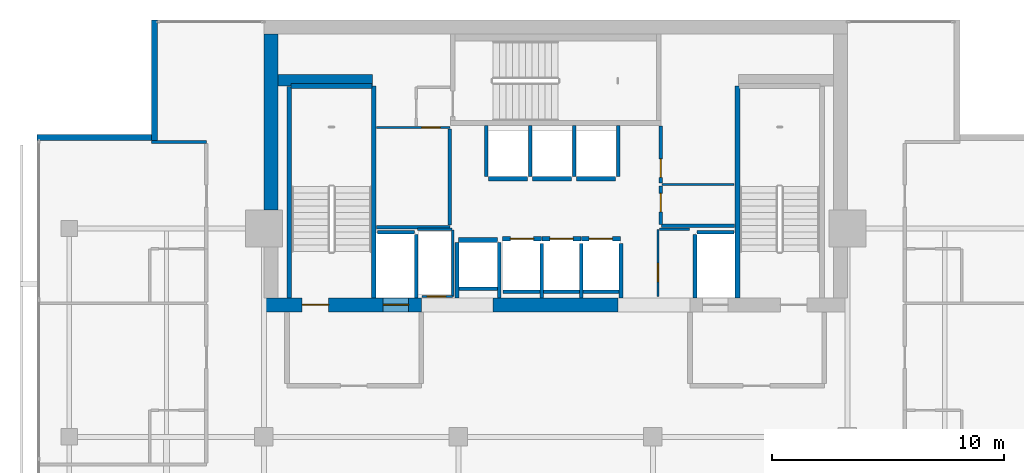
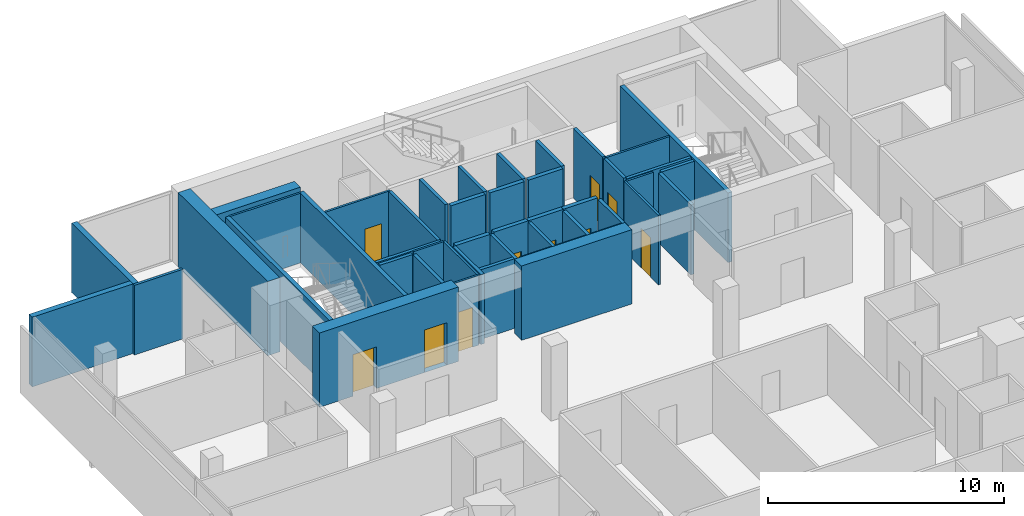
# One storey, part 22 of 25: 45 walls, 10 doors, 10 openings.
"""IFC4 building model written with IfcOpenShell, lengths in metres."""

import ifcopenshell
import ifcopenshell.guid

model = None  # the IFC model being written
_history = None  # IfcOwnerHistory: only IFC2X3 demands one
_inside = {}  # id of a spatial element -> (the spatial element, [elements in it])
_under = {}  # id of a project, library or spatial element -> (it, [spatial elements below it])
_declared = {}  # id of a project -> (the project, [libraries it declares])
_typed = {}  # id of a type object -> (the type object, [elements of that type])
_made_of = {}  # id of a material, layer set ... -> (it, [elements and type objects made of it])


def new_model(schema):
    """Start an empty IFC model of exactly this schema.

    Asked for "IFC4X3", IfcOpenShell would pick the latest addendum, in which some entities
    have other attributes; the version numbers below select the first issue.
    IFC2X3 requires an IfcOwnerHistory on every rooted entity: one is made here for all.
    """
    global model, _history
    if schema == "IFC4X3":
        model = ifcopenshell.file(schema_version=(4, 3, 0, 0))
    else:
        model = ifcopenshell.file(schema=schema)
    _inside.clear()
    _under.clear()
    _declared.clear()
    _typed.clear()
    _made_of.clear()
    _history = None
    if model.schema == "IFC2X3":
        org = make("IfcOrganization", Name="unknown")
        user = make(
            "IfcPersonAndOrganization",
            ThePerson=make("IfcPerson", FamilyName="unknown"),
            TheOrganization=org,
        )
        app = make(
            "IfcApplication",
            ApplicationDeveloper=org,
            Version="unknown",
            ApplicationFullName="unknown",
            ApplicationIdentifier="unknown",
        )
        _history = make(
            "IfcOwnerHistory",
            OwningUser=user,
            OwningApplication=app,
            ChangeAction="ADDED",
            CreationDate=0,
        )
    return model


def make(cls, **values):
    """One entity of the class cls with the attributes given. An attribute that is None is left unset."""
    return model.create_entity(
        cls, **{name: value for name, value in values.items() if value is not None}
    )


def rooted(cls, **values):
    """An entity with a GlobalId (a new one), such as an element, a storey or a relation."""
    return make(cls, GlobalId=ifcopenshell.guid.new(), OwnerHistory=_history, **values)


def si_unit(unit_type, name, prefix=None):
    """IfcSIUnit, for example si_unit("LENGTHUNIT", "METRE", prefix="MILLI")."""
    return make("IfcSIUnit", UnitType=unit_type, Prefix=prefix, Name=name)


def assignment(units):
    """IfcUnitAssignment: the units of a project."""
    return None if units is None else make("IfcUnitAssignment", Units=units)


def point(xyz):
    """IfcCartesianPoint."""
    return None if xyz is None else make("IfcCartesianPoint", Coordinates=xyz)


def direction(xyz):
    """IfcDirection."""
    return None if xyz is None else make("IfcDirection", DirectionRatios=xyz)


def frame(location, z_axis=None, x_axis=None):
    """IfcAxis2Placement3D, a coordinate frame: its origin and axes. An axis left out is left unset."""
    return make(
        "IfcAxis2Placement3D",
        Location=point(location),
        Axis=direction(z_axis),
        RefDirection=direction(x_axis),
    )


def frame_2d(location, x_axis=None):
    """IfcAxis2Placement2D, a coordinate frame in the plane: its origin and x axis."""
    return make(
        "IfcAxis2Placement2D", Location=point(location), RefDirection=direction(x_axis)
    )


def origin():
    """The frame at (0, 0, 0) with its axes left unset."""
    return frame((0.0, 0.0, 0.0))


def place(relative_to, where):
    """IfcLocalPlacement: puts the frame where relative to a parent placement (None: the world)."""
    return make(
        "IfcLocalPlacement", PlacementRelTo=relative_to, RelativePlacement=where
    )


def context(
    kind, dimensions, precision=None, world=None, true_north=None, identifier=None
):
    """IfcGeometricRepresentationContext, for example the 3D "Model" context."""
    return make(
        "IfcGeometricRepresentationContext",
        ContextIdentifier=identifier,
        ContextType=kind,
        CoordinateSpaceDimension=dimensions,
        Precision=precision,
        WorldCoordinateSystem=world,
        TrueNorth=true_north,
    )


def subcontext(parent, identifier, kind, view, scale=None):
    """IfcGeometricRepresentationSubContext, for example "Body" below "Model"."""
    return make(
        "IfcGeometricRepresentationSubContext",
        ContextIdentifier=identifier,
        ContextType=kind,
        ParentContext=parent,
        TargetScale=scale,
        TargetView=view,
    )


def project(units=None, contexts=None):
    """IfcProject with its units and contexts."""
    return rooted(
        "IfcProject",
        Name="project",
        RepresentationContexts=contexts,
        UnitsInContext=assignment(units),
    )


def spatial(cls, under=None, at=None, **own):
    """A site, building, storey or space (cls), placed at a placement, below another one or the project."""
    s = rooted(cls, ObjectPlacement=at, **own)
    if under is not None:
        _under.setdefault(under.id(), (under, []))[1].append(s)
    return s


def profile(cls, at=None, kind="AREA", **sizes):
    """A parametric profile (cls). Its sizes go by their IFC names, for example OverallWidth=200.0."""
    return make(cls, ProfileType=kind, Position=at, **sizes)


def rectangle(**sizes):
    """IfcRectangleProfileDef."""
    return profile("IfcRectangleProfileDef", **sizes)


def extrude(swept, where, along, depth):
    """IfcExtrudedAreaSolid: the profile swept, set in the frame where, extruded along a direction by depth."""
    return make(
        "IfcExtrudedAreaSolid",
        SweptArea=swept,
        Position=where,
        ExtrudedDirection=direction(along),
        Depth=depth,
    )


def shape(context_of_items, identifier, shape_type, items):
    """IfcShapeRepresentation: the items that make up one representation, for example the "Body"."""
    return make(
        "IfcShapeRepresentation",
        ContextOfItems=context_of_items,
        RepresentationIdentifier=identifier,
        RepresentationType=shape_type,
        Items=items,
    )


def material(Name=None, Category=None):
    """IfcMaterial."""
    return make("IfcMaterial", Name=Name, Category=Category)


def layer(
    of_material, thickness, ventilated=None, Name=None, Category=None, Priority=None
):
    """IfcMaterialLayer: one layer of a wall or slab, of a material (None: an air gap)."""
    return make(
        "IfcMaterialLayer",
        Material=of_material,
        LayerThickness=thickness,
        IsVentilated=ventilated,
        Name=Name,
        Category=Category,
        Priority=Priority,
    )


def layer_set(layers, Name=None):
    """IfcMaterialLayerSet."""
    return make("IfcMaterialLayerSet", MaterialLayers=layers, LayerSetName=Name)


def made_of(thing, what):
    """Note that an element or type object is made of a material, layer set ...; save() writes the relation."""
    if what is not None:
        _made_of.setdefault(what.id(), (what, []))[1].append(thing)
    return thing


def type_object(cls, material=None, **own):
    """A type object (cls), such as IfcWallType, which elements share."""
    return made_of(rooted(cls, **own), material)


def element(
    cls,
    number,
    at=None,
    inside=None,
    cuts=None,
    type_object=None,
    material=None,
    context=None,
    identifier="Body",
    shape_type=None,
    held_by="IfcProductDefinitionShape",
    body=None,
    shapes=None,
    **own,
):
    """One element of the class cls, such as IfcWall. Its Tag is "e" and its number.

    at: its placement. inside: the storey or other place that contains it. cuts: it is an
    opening in that element (IfcRelVoidsElement). A single representation is given by context,
    identifier, shape_type and body (its items); several are given by shapes. held_by: the class
    of the entity that holds the representations. save() writes the other relations.
    """
    e = rooted(cls, Tag="e%d" % number, ObjectPlacement=at, **own)
    if body is not None:
        shapes = [shape(context, identifier, shape_type, body)]
    if shapes is not None:
        e.Representation = make(held_by, Representations=shapes)
    if inside is not None:
        _inside.setdefault(inside.id(), (inside, []))[1].append(e)
    if cuts is not None:
        rooted(
            "IfcRelVoidsElement", RelatingBuildingElement=cuts, RelatedOpeningElement=e
        )
    if type_object is not None:
        _typed.setdefault(type_object.id(), (type_object, []))[1].append(e)
    return made_of(e, material)


def fill(opening, filler):
    """IfcRelFillsElement: the door or window that sits in an opening."""
    return rooted(
        "IfcRelFillsElement",
        RelatingOpeningElement=opening,
        RelatedBuildingElement=filler,
    )


def aggregate(whole, parts):
    """IfcRelAggregates: a whole, such as a stair, and the parts it consists of."""
    return rooted("IfcRelAggregates", RelatingObject=whole, RelatedObjects=parts)


def save(model, path):
    """Write the relations noted so far, then the file.

    IfcRelAggregates (storeys below a building ...), IfcRelContainedInSpatialStructure (elements
    in a storey), IfcRelDefinesByType, IfcRelAssociatesMaterial and IfcRelDeclares: one each for
    every whole, place, type object, material and project.
    """
    for whole, parts in _under.values():
        aggregate(whole, parts)
    for where, things in _inside.values():
        rooted(
            "IfcRelContainedInSpatialStructure",
            RelatedElements=things,
            RelatingStructure=where,
        )
    for kind, things in _typed.values():
        rooted("IfcRelDefinesByType", RelatedObjects=things, RelatingType=kind)
    for what, things in _made_of.values():
        rooted("IfcRelAssociatesMaterial", RelatedObjects=things, RelatingMaterial=what)
    for by, libraries in _declared.values():
        rooted("IfcRelDeclares", RelatingContext=by, RelatedDefinitions=libraries)
    model.write(path)


model = new_model("IFC4")

# Units and contexts
model_context = context("Model", 3, precision=1e-05, world=origin(), true_north=direction((0.0, 1.0)))
body_context = subcontext(model_context, "Body", "Model", "MODEL_VIEW")
ifc_project = project(units=[si_unit("LENGTHUNIT", "METRE"), si_unit("AREAUNIT", "SQUARE_METRE"), si_unit("VOLUMEUNIT", "CUBIC_METRE"), si_unit("PLANEANGLEUNIT", "RADIAN"), si_unit("MASSUNIT", "GRAM", prefix="KILO")], contexts=[model_context])

# Site, building, storey
site_placement = place(None, origin())
site = spatial("IfcSite", under=ifc_project, at=site_placement, CompositionType="ELEMENT")
building_placement = place(site_placement, origin())
building = spatial("IfcBuilding", under=site, at=building_placement, Name="Maruvema Waterfront Hotel and Observation Tower", CompositionType="ELEMENT")
storey_placement = place(building_placement, frame((0.0, 0.0, 250.949951171875)))
storey = spatial("IfcBuildingStorey", under=building, at=storey_placement, Name="L61", CompositionType="ELEMENT", Elevation=250.949951171875)

# Walls
ifc_material_1 = material(Name="Twin-stud acoustic gypsum drywall", Category="gypsum")
ifc_layer_1 = layer(ifc_material_1, 0.14990234375, Name="Acoustic Corridor and Suite Demising Wall 150 mm")
ifc_layer_set_1 = layer_set([ifc_layer_1], Name="Twin-stud acoustic gypsum drywall")
wall_type_1 = type_object("IfcWallType", Name="Acoustic Corridor and Suite Demising Wall 150 mm", PredefinedType="PARTITIONING", material=ifc_layer_set_1)
wall_1_placement = place(storey_placement, frame((30.06005859375, 45.06005859375, 0.0), z_axis=(0.0, 0.0, 1.0), x_axis=(1.0, 0.0, 0.0)))
element("IfcWall", 1, at=wall_1_placement, inside=storey, type_object=wall_type_1, Name="L61 Freed B1 South Wall 012", PredefinedType="PARTITIONING", context=body_context, shape_type="SweptSolid", body=[
    extrude(rectangle(XDim=3.179931640625, YDim=0.14990234375, at=frame_2d((1.58984375, 0.0))), origin(), (0.0, 0.0, 1.0), 3.610107421875),
])
wall_2_placement = place(storey_placement, frame((33.219970703125, 45.139892578125, 0.0), z_axis=(0.0, 0.0, 1.0), x_axis=(0.0, 1.0, 0.0)))
element("IfcWall", 2, at=wall_2_placement, inside=storey, type_object=wall_type_1, Name="L61 Freed B1 East Wall 013", PredefinedType="PARTITIONING", context=body_context, shape_type="SweptSolid", body=[
    extrude(rectangle(XDim=4.16015625, YDim=0.14990234375, at=frame_2d((2.080078125, 0.0))), origin(), (0.0, 0.0, 1.0), 3.610107421875),
])

# Wall, opening, door
wall_3_placement = place(storey_placement, frame((42.340087890625, 45.159912109375, 0.0), z_axis=(0.0, 0.0, 1.0), x_axis=(0.0, 1.0, 0.0)))
wall_3 = element("IfcWall", 3, at=wall_3_placement, inside=storey, type_object=wall_type_1, Name="L61 Freed B2 West S 017", PredefinedType="PARTITIONING", context=body_context, shape_type="SweptSolid", body=[
    extrude(rectangle(XDim=1.68017578125, YDim=0.14990234375, at=frame_2d((0.840087890625, 0.0))), origin(), (0.0, 0.0, 1.0), 3.610107421875),
])
opening_1_placement = place(wall_3_placement, frame((0.550048828125, 0.0, 0.0)))
opening_1 = element("IfcOpeningElement", 4, at=opening_1_placement, cuts=wall_3, Name="Opening DR-080", PredefinedType="OPENING", context=body_context, shape_type="SweptSolid", body=[
    extrude(rectangle(XDim=0.800048828125, YDim=2.050048828125, at=frame_2d((0.39990234375, 1.02490234375))), frame((0.0, 0.0849609375, 0.0), z_axis=(0.0, -1.0, 0.0), x_axis=(1.0, 0.0, 0.0)), (0.0, 0.0, 1.0), 0.169921875),
])
ifc_material_2 = material(Name="Powder-coated steel access leaf", Category="steel")
door_type_1 = type_object("IfcDoorType", Name="Riser and Service Cupboard Door 800x2050 mm", OperationType="NOTDEFINED", PredefinedType="DOOR", material=ifc_material_2)
door_1_placement = place(opening_1_placement, frame((0.800048828125, 0.0, 0.0), z_axis=(0.0, 0.0, 1.0), x_axis=(-1.0, 0.0, 0.0)))
door_1 = element("IfcDoor", 5, at=door_1_placement, inside=storey, type_object=door_type_1, Name="L61 Butler Service Pantry Door", OperationType="SINGLE_SWING_LEFT", OverallHeight=2.050048828125, OverallWidth=0.800048828125, PredefinedType="DOOR", context=body_context, shape_type="SweptSolid", body=[
    extrude(rectangle(XDim=0.800048828125, YDim=2.050048828125, at=frame_2d((0.39990234375, 1.02490234375))), frame((0.0, 0.02490234375, 0.0), z_axis=(0.0, -1.0, 0.0), x_axis=(1.0, 0.0, 0.0)), (0.0, 0.0, 1.0), 0.050048828125),
])
fill(opening_1, door_1)

wall_4_placement = place(storey_placement, frame((42.340087890625, 46.9599609375, 0.0), z_axis=(0.0, 0.0, 1.0), x_axis=(0.0, 1.0, 0.0)))
wall_4 = element("IfcWall", 6, at=wall_4_placement, inside=storey, type_object=wall_type_1, Name="L61 Freed B2 West N 018", PredefinedType="PARTITIONING", context=body_context, shape_type="SweptSolid", body=[
    extrude(rectangle(XDim=2.4599609375, YDim=0.14990234375, at=frame_2d((1.22998046875, 0.0))), origin(), (0.0, 0.0, 1.0), 3.610107421875),
])
opening_2_placement = place(wall_4_placement, frame((0.239990234375, 0.0, 0.0)))
opening_2 = element("IfcOpeningElement", 7, at=opening_2_placement, cuts=wall_4, Name="Opening DR-080", PredefinedType="OPENING", context=body_context, shape_type="SweptSolid", body=[
    extrude(rectangle(XDim=0.800048828125, YDim=2.050048828125, at=frame_2d((0.39990234375, 1.02490234375))), frame((0.0, 0.0849609375, 0.0), z_axis=(0.0, -1.0, 0.0), x_axis=(1.0, 0.0, 0.0)), (0.0, 0.0, 1.0), 0.169921875),
])
door_2_placement = place(opening_2_placement, frame((0.800048828125, 0.0, 0.0), z_axis=(0.0, 0.0, 1.0), x_axis=(-1.0, 0.0, 0.0)))
door_2 = element("IfcDoor", 8, at=door_2_placement, inside=storey, type_object=door_type_1, Name="L61 Core IT and Linen Store Door", OperationType="SINGLE_SWING_RIGHT", OverallHeight=2.050048828125, OverallWidth=0.800048828125, PredefinedType="DOOR", context=body_context, shape_type="SweptSolid", body=[
    extrude(rectangle(XDim=0.800048828125, YDim=2.050048828125, at=frame_2d((0.39990234375, 1.02490234375))), frame((0.0, 0.02490234375, 0.0), z_axis=(0.0, -1.0, 0.0), x_axis=(1.0, 0.0, 0.0)), (0.0, 0.0, 1.0), 0.050048828125),
])
fill(opening_2, door_2)

# Walls
wall_5_placement = place(storey_placement, frame((42.3798828125, 45.1201171875, 0.0), z_axis=(0.0, 0.0, 1.0), x_axis=(1.0, 0.0, 0.0)))
element("IfcWall", 9, at=wall_5_placement, inside=storey, type_object=wall_type_1, Name="L61 Freed B2 South Wall 020", PredefinedType="PARTITIONING", context=body_context, shape_type="SweptSolid", body=[
    extrude(rectangle(XDim=3.14013671875, YDim=0.14990234375, at=frame_2d((1.570068359375, 0.0))), origin(), (0.0, 0.0, 1.0), 3.610107421875),
])
ifc_material_3 = material(Name="Precast concrete C45/55", Category="concrete")
ifc_layer_2 = layer(ifc_material_3, 0.199951171875, Name="Core Shaft and Stairwell Enclosure Wall 200 mm")
ifc_layer_set_2 = layer_set([ifc_layer_2], Name="Precast concrete C45/55")
wall_type_2 = type_object("IfcWallType", Name="Core Shaft and Stairwell Enclosure Wall 200 mm", PredefinedType="SOLIDWALL", material=ifc_layer_set_2)
wall_6_placement = place(storey_placement, frame((29.949951171875, 42.0, 0.0), z_axis=(0.0, 0.0, 1.0), x_axis=(0.0, 1.0, 0.0)))
element("IfcWall", 10, at=wall_6_placement, inside=storey, type_object=wall_type_2, Name="L61 Stairwell ST-01 East Shaft Wall", PredefinedType="SOLIDWALL", context=body_context, shape_type="SweptSolid", body=[
    extrude(rectangle(XDim=9.14990234375, YDim=0.199951171875, at=frame_2d((4.574951171875, 0.0))), origin(), (0.0, 0.0, 1.0), 3.610107421875),
])
wall_7_placement = place(storey_placement, frame((26.300048828125, 42.0, 0.0), z_axis=(0.0, 0.0, 1.0), x_axis=(0.0, 1.0, 0.0)))
element("IfcWall", 11, at=wall_7_placement, inside=storey, type_object=wall_type_2, Name="L61 Stairwell ST-01 Shaft Lining Wall", PredefinedType="SOLIDWALL", context=body_context, shape_type="SweptSolid", body=[
    extrude(rectangle(XDim=9.1201171875, YDim=0.199951171875, at=frame_2d((4.56005859375, 0.0))), origin(), (0.0, 0.0, 1.0), 3.610107421875),
])
wall_8_placement = place(storey_placement, frame((26.3798828125, 51.14990234375, 0.0), z_axis=(0.0, 0.0, 1.0), x_axis=(1.0, 0.0, 0.0)))
element("IfcWall", 12, at=wall_8_placement, inside=storey, type_object=wall_type_2, Name="L61 Stairwell ST-01 Shaft Lining Wall", PredefinedType="SOLIDWALL", context=body_context, shape_type="SweptSolid", body=[
    extrude(rectangle(XDim=3.5, YDim=0.199951171875, at=frame_2d((1.75, 0.0))), origin(), (0.0, 0.0, 1.0), 3.610107421875),
])
wall_9_placement = place(storey_placement, frame((45.64990234375, 42.0, 0.0), z_axis=(0.0, 0.0, 1.0), x_axis=(0.0, 1.0, 0.0)))
element("IfcWall", 13, at=wall_9_placement, inside=storey, type_object=wall_type_2, Name="L61 Stairwell ST-03 West Shaft Wall", PredefinedType="SOLIDWALL", context=body_context, shape_type="SweptSolid", body=[
    extrude(rectangle(XDim=9.14990234375, YDim=0.199951171875, at=frame_2d((4.574951171875, 0.0))), origin(), (0.0, 0.0, 1.0), 3.610107421875),
])

# Wall, opening, door
wall_10_placement = place(storey_placement, frame((35.510009765625, 44.550048828125, 0.0), z_axis=(0.0, 0.0, 1.0), x_axis=(1.0, 0.0, 0.0)))
wall_10 = element("IfcWall", 14, at=wall_10_placement, inside=storey, type_object=wall_type_2, Name="L61 Lift LF-09 Hoistway Front Wall", PredefinedType="SOLIDWALL", context=body_context, shape_type="SweptSolid", body=[
    extrude(rectangle(XDim=1.679931640625, YDim=0.199951171875, at=frame_2d((0.83984375, 0.0))), origin(), (0.0, 0.0, 1.0), 3.610107421875),
])
opening_3_placement = place(wall_10_placement, frame((0.340087890625, 0.0, 0.0)))
opening_3 = element("IfcOpeningElement", 15, at=opening_3_placement, cuts=wall_10, Name="Opening LD-01", PredefinedType="OPENING", context=body_context, shape_type="SweptSolid", body=[
    extrude(rectangle(XDim=1.0, YDim=2.14990234375, at=frame_2d((0.5, 1.074951171875))), frame((0.0, 0.10986328125, 0.0), z_axis=(0.0, -1.0, 0.0), x_axis=(1.0, 0.0, 0.0)), (0.0, 0.0, 1.0), 0.219970703125),
])
ifc_material_4 = material(Name="Brushed stainless steel Grade 316", Category="steel")
door_type_2 = type_object("IfcDoorType", Name="Passenger Lift Sliding Landing Door 1000x2150 mm", OperationType="SLIDING_TO_LEFT", PredefinedType="DOOR", material=ifc_material_4)
door_3_placement = place(opening_3_placement, origin())
door_3 = element("IfcDoor", 16, at=door_3_placement, inside=storey, type_object=door_type_2, Name="L61 Lift LF-09 Sliding Landing Door", OperationType="SLIDING_TO_LEFT", OverallHeight=2.14990234375, OverallWidth=1.0, PredefinedType="DOOR", context=body_context, shape_type="SweptSolid", body=[
    extrude(rectangle(XDim=1.0, YDim=2.14990234375, at=frame_2d((0.5, 1.074951171875))), frame((0.0, 0.02490234375, 0.0), z_axis=(0.0, -1.0, 0.0), x_axis=(1.0, 0.0, 0.0)), (0.0, 0.0, 1.0), 0.050048828125),
])
fill(opening_3, door_3)

wall_11_placement = place(storey_placement, frame((37.2099609375, 44.550048828125, 0.0), z_axis=(0.0, 0.0, 1.0), x_axis=(1.0, 0.0, 0.0)))
wall_11 = element("IfcWall", 17, at=wall_11_placement, inside=storey, type_object=wall_type_2, Name="L61 Lift LF-10 Hoistway Front Wall", PredefinedType="SOLIDWALL", context=body_context, shape_type="SweptSolid", body=[
    extrude(rectangle(XDim=1.679931640625, YDim=0.199951171875, at=frame_2d((0.83984375, 0.0))), origin(), (0.0, 0.0, 1.0), 3.610107421875),
])
opening_4_placement = place(wall_11_placement, frame((0.340087890625, 0.0, 0.0)))
opening_4 = element("IfcOpeningElement", 18, at=opening_4_placement, cuts=wall_11, Name="Opening LD-01", PredefinedType="OPENING", context=body_context, shape_type="SweptSolid", body=[
    extrude(rectangle(XDim=1.0, YDim=2.14990234375, at=frame_2d((0.5, 1.074951171875))), frame((0.0, 0.10986328125, 0.0), z_axis=(0.0, -1.0, 0.0), x_axis=(1.0, 0.0, 0.0)), (0.0, 0.0, 1.0), 0.219970703125),
])
door_4_placement = place(opening_4_placement, origin())
door_4 = element("IfcDoor", 19, at=door_4_placement, inside=storey, type_object=door_type_2, Name="L61 Lift LF-10 Sliding Landing Door", OperationType="SLIDING_TO_LEFT", OverallHeight=2.14990234375, OverallWidth=1.0, PredefinedType="DOOR", context=body_context, shape_type="SweptSolid", body=[
    extrude(rectangle(XDim=1.0, YDim=2.14990234375, at=frame_2d((0.5, 1.074951171875))), frame((0.0, 0.02490234375, 0.0), z_axis=(0.0, -1.0, 0.0), x_axis=(1.0, 0.0, 0.0)), (0.0, 0.0, 1.0), 0.050048828125),
])
fill(opening_4, door_4)

wall_12_placement = place(storey_placement, frame((38.909912109375, 44.550048828125, 0.0), z_axis=(0.0, 0.0, 1.0), x_axis=(1.0, 0.0, 0.0)))
wall_12 = element("IfcWall", 20, at=wall_12_placement, inside=storey, type_object=wall_type_2, Name="L61 Lift LF-11 Hoistway Front Wall", PredefinedType="SOLIDWALL", context=body_context, shape_type="SweptSolid", body=[
    extrude(rectangle(XDim=1.68017578125, YDim=0.199951171875, at=frame_2d((0.840087890625, 0.0))), origin(), (0.0, 0.0, 1.0), 3.610107421875),
])
opening_5_placement = place(wall_12_placement, frame((0.340087890625, 0.0, 0.0)))
opening_5 = element("IfcOpeningElement", 21, at=opening_5_placement, cuts=wall_12, Name="Opening LD-01", PredefinedType="OPENING", context=body_context, shape_type="SweptSolid", body=[
    extrude(rectangle(XDim=1.0, YDim=2.14990234375, at=frame_2d((0.5, 1.074951171875))), frame((0.0, 0.10986328125, 0.0), z_axis=(0.0, -1.0, 0.0), x_axis=(1.0, 0.0, 0.0)), (0.0, 0.0, 1.0), 0.219970703125),
])
door_5_placement = place(opening_5_placement, origin())
door_5 = element("IfcDoor", 22, at=door_5_placement, inside=storey, type_object=door_type_2, Name="L61 Lift LF-11 Sliding Landing Door", OperationType="SLIDING_TO_LEFT", OverallHeight=2.14990234375, OverallWidth=1.0, PredefinedType="DOOR", context=body_context, shape_type="SweptSolid", body=[
    extrude(rectangle(XDim=1.0, YDim=2.14990234375, at=frame_2d((0.5, 1.074951171875))), frame((0.0, 0.02490234375, 0.0), z_axis=(0.0, -1.0, 0.0), x_axis=(1.0, 0.0, 0.0)), (0.0, 0.0, 1.0), 0.050048828125),
])
fill(opening_5, door_5)

# Walls
wall_13_placement = place(storey_placement, frame((34.909912109375, 47.14990234375, 0.0), z_axis=(0.0, 0.0, 1.0), x_axis=(1.0, 0.0, 0.0)))
element("IfcWall", 23, at=wall_13_placement, inside=storey, type_object=wall_type_2, Name="L61 Lift LF-12 Hoistway Front Wall", PredefinedType="SOLIDWALL", context=body_context, shape_type="SweptSolid", body=[
    extrude(rectangle(XDim=1.68017578125, YDim=0.199951171875, at=frame_2d((0.840087890625, 0.0))), origin(), (0.0, 0.0, 1.0), 3.610107421875),
])
for number, where, z_axis, x_axis, name in (
    (24, (36.81005859375, 47.14990234375, 0.0), (0.0, 0.0, 1.0), (1.0, 0.0, 0.0), "L61 Lift LF-13 Hoistway Front Wall"),
    (25, (38.7099609375, 47.14990234375, 0.0), (0.0, 0.0, 1.0), (1.0, 0.0, 0.0), "L61 Lift LF-14 Hoistway Front Wall"),
    (26, (33.610107421875, 44.5, 0.0), (0.0, 0.0, 1.0), (1.0, 0.0, 0.0), "L61 Lift LF-15 Hoistway Front Wall"),
):
    element("IfcWall", number, at=place(storey_placement, frame(where, z_axis=z_axis, x_axis=x_axis)), inside=storey, type_object=wall_type_2, Name=name, PredefinedType="SOLIDWALL", context=body_context, shape_type="SweptSolid", body=[
        extrude(rectangle(XDim=1.679931640625, YDim=0.199951171875, at=frame_2d((0.83984375, 0.0))), origin(), (0.0, 0.0, 1.0), 3.610107421875),
    ])
ifc_material_5 = material(Name="Concrete C70/85", Category="concrete")
ifc_layer_3 = layer(ifc_material_5, 0.5, Name="Core Shear Wall 500 mm")
ifc_layer_set_3 = layer_set([ifc_layer_3], Name="Concrete C70/85")
wall_type_3 = type_object("IfcWallType", Name="Core Shear Wall 500 mm", PredefinedType="SHEAR", material=ifc_layer_set_3)
wall_14_placement = place(storey_placement, frame((25.800048828125, 51.39990234375, 0.0), z_axis=(0.0, 0.0, 1.0), x_axis=(1.0, 0.0, 0.0)))
element("IfcWall", 27, at=wall_14_placement, inside=storey, type_object=wall_type_3, Name="L61 Internal Core Shear Wall NW 500 mm", PredefinedType="SHEAR", context=body_context, shape_type="SweptSolid", body=[
    extrude(rectangle(XDim=4.099853515625, YDim=0.5, at=frame_2d((2.0498046875, 0.0))), origin(), (0.0, 0.0, 1.0), 3.85009765625),
])

# Wall, openings, doors
ifc_material_6 = material(Name="Concrete C60/75", Category="concrete")
ifc_layer_4 = layer(ifc_material_6, 0.60009765625, Name="Core Shear Wall 600 mm")
ifc_layer_set_4 = layer_set([ifc_layer_4], Name="Concrete C60/75")
wall_type_4 = type_object("IfcWallType", Name="Core Shear Wall 600 mm", PredefinedType="SHEAR", material=ifc_layer_set_4)
wall_15_placement = place(storey_placement, frame((25.199951171875, 41.699951171875, 0.0), z_axis=(0.0, 0.0, 1.0), x_axis=(1.0, 0.0, 0.0)))
wall_15 = element("IfcWall", 28, at=wall_15_placement, inside=storey, type_object=wall_type_4, Name="L61 South-West Core Shear Wall", PredefinedType="SHEAR", context=body_context, shape_type="SweptSolid", body=[
    extrude(rectangle(XDim=6.800048828125, YDim=0.60009765625, at=frame_2d((3.39990234375, 0.0))), origin(), (0.0, 0.0, 1.0), 3.85009765625),
])
opening_6_placement = place(wall_15_placement, frame((1.64990234375, 0.0, 0.0)))
opening_6 = element("IfcOpeningElement", 29, at=opening_6_placement, cuts=wall_15, Name="Opening SD-01", PredefinedType="OPENING", context=body_context, shape_type="SweptSolid", body=[
    extrude(rectangle(XDim=1.14990234375, YDim=2.14990234375, at=frame_2d((0.574951171875, 1.074951171875))), frame((0.0, 0.31005859375, 0.0), z_axis=(0.0, -1.0, 0.0), x_axis=(1.0, 0.0, 0.0)), (0.0, 0.0, 1.0), 0.6201171875),
])
opening_7_placement = place(wall_15_placement, frame((5.14990234375, 0.0, 0.0)))
opening_7 = element("IfcOpeningElement", 30, at=opening_7_placement, cuts=wall_15, Name="Opening LD-03", PredefinedType="OPENING", context=body_context, shape_type="SweptSolid", body=[
    extrude(rectangle(XDim=1.10009765625, YDim=2.199951171875, at=frame_2d((0.550048828125, 1.10009765625))), frame((0.0, 0.31005859375, 0.0), z_axis=(0.0, -1.0, 0.0), x_axis=(1.0, 0.0, 0.0)), (0.0, 0.0, 1.0), 0.6201171875),
])
ifc_material_7 = material(Name="Fire-rated galvanised steel leaf", Category="steel")
door_type_3 = type_object("IfcDoorType", Name="Exit Stair Fire Door 1150x2150 mm", OperationType="NOTDEFINED", PredefinedType="DOOR", material=ifc_material_7)
door_6_placement = place(opening_6_placement, origin())
door_6 = element("IfcDoor", 31, at=door_6_placement, inside=storey, type_object=door_type_3, Name="L61 Exit Stair ST-01 Fire Door", OperationType="SINGLE_SWING_LEFT", OverallHeight=2.14990234375, OverallWidth=1.14990234375, PredefinedType="DOOR", context=body_context, shape_type="SweptSolid", body=[
    extrude(rectangle(XDim=1.14990234375, YDim=2.14990234375, at=frame_2d((0.574951171875, 1.074951171875))), frame((0.0, 0.02490234375, 0.0), z_axis=(0.0, -1.0, 0.0), x_axis=(1.0, 0.0, 0.0)), (0.0, 0.0, 1.0), 0.050048828125),
])
fill(opening_6, door_6)
ifc_material_8 = material(Name="Brushed stainless steel Grade 316", Category="steel")
door_type_4 = type_object("IfcDoorType", Name="Firefighting Lift Sliding Landing Door 1100x2200 mm", OperationType="SLIDING_TO_LEFT", PredefinedType="DOOR", material=ifc_material_8)
door_7_placement = place(opening_7_placement, frame((1.10009765625, 0.0, 0.0), z_axis=(0.0, 0.0, 1.0), x_axis=(-1.0, 0.0, 0.0)))
door_7 = element("IfcDoor", 32, at=door_7_placement, inside=storey, type_object=door_type_4, Name="L61 Firefighting Lift FL-01 Landing Door", OperationType="SLIDING_TO_LEFT", OverallHeight=2.199951171875, OverallWidth=1.10009765625, PredefinedType="DOOR", context=body_context, shape_type="SweptSolid", body=[
    extrude(rectangle(XDim=1.10009765625, YDim=2.199951171875, at=frame_2d((0.550048828125, 1.10009765625))), frame((0.0, 0.02490234375, 0.0), z_axis=(0.0, -1.0, 0.0), x_axis=(1.0, 0.0, 0.0)), (0.0, 0.0, 1.0), 0.050048828125),
])
fill(opening_7, door_7)

# Walls
wall_16_placement = place(storey_placement, frame((35.10009765625, 41.699951171875, 0.0), z_axis=(0.0, 0.0, 1.0), x_axis=(1.0, 0.0, 0.0)))
element("IfcWall", 33, at=wall_16_placement, inside=storey, type_object=wall_type_4, Name="L61 South-Central Core Shear Wall", PredefinedType="SHEAR", context=body_context, shape_type="SweptSolid", body=[
    extrude(rectangle(XDim=5.39990234375, YDim=0.60009765625, at=frame_2d((2.699951171875, 0.0))), origin(), (0.0, 0.0, 1.0), 3.85009765625),
])
wall_17_placement = place(storey_placement, frame((25.5, 45.800048828125, 0.0), z_axis=(0.0, 0.0, 1.0), x_axis=(0.0, 1.0, 0.0)))
element("IfcWall", 34, at=wall_17_placement, inside=storey, type_object=wall_type_4, Name="L61 West-North Core Shear Wall", PredefinedType="SHEAR", context=body_context, shape_type="SweptSolid", body=[
    extrude(rectangle(XDim=7.599853515625, YDim=0.60009765625, at=frame_2d((3.7998046875, 0.0))), origin(), (0.0, 0.0, 1.0), 3.85009765625),
])

# Wall, opening, door
ifc_material_9 = material(Name="Moisture-resistant cement-board drywall", Category="gypsum")
ifc_layer_5 = layer(ifc_material_9, 0.10009765625, Name="En-Suite Moisture-Resistant Partition 100 mm")
ifc_layer_set_5 = layer_set([ifc_layer_5], Name="Moisture-resistant cement-board drywall")
wall_type_5 = type_object("IfcWallType", Name="En-Suite Moisture-Resistant Partition 100 mm", PredefinedType="PARTITIONING", material=ifc_layer_set_5)
wall_18_placement = place(storey_placement, frame((32.02001953125, 42.06005859375, 0.0), z_axis=(0.0, 0.0, 1.0), x_axis=(1.0, 0.0, 0.0)))
wall_18 = element("IfcWall", 35, at=wall_18_placement, inside=storey, type_object=wall_type_5, Name="L61 Telecom Riser South Wall 007", PredefinedType="PARTITIONING", context=body_context, shape_type="SweptSolid", body=[
    extrude(rectangle(XDim=1.320068359375, YDim=0.10009765625, at=frame_2d((0.66015625, 0.0))), origin(), (0.0, 0.0, 1.0), 3.610107421875),
])
opening_8_placement = place(wall_18_placement, frame((0.239990234375, 0.0, 0.0)))
opening_8 = element("IfcOpeningElement", 36, at=opening_8_placement, cuts=wall_18, Name="Opening DR-080", PredefinedType="OPENING", context=body_context, shape_type="SweptSolid", body=[
    extrude(rectangle(XDim=0.800048828125, YDim=2.050048828125, at=frame_2d((0.39990234375, 1.02490234375))), frame((0.0, 0.06005859375, 0.0), z_axis=(0.0, -1.0, 0.0), x_axis=(1.0, 0.0, 0.0)), (0.0, 0.0, 1.0), 0.1201171875),
])
door_8_placement = place(opening_8_placement, frame((0.800048828125, 0.0, 0.0), z_axis=(0.0, 0.0, 1.0), x_axis=(-1.0, 0.0, 0.0)))
door_8 = element("IfcDoor", 37, at=door_8_placement, inside=storey, type_object=door_type_1, Name="L61 Telecom Riser Door", OperationType="SINGLE_SWING_LEFT", OverallHeight=2.050048828125, OverallWidth=0.800048828125, PredefinedType="DOOR", context=body_context, shape_type="SweptSolid", body=[
    extrude(rectangle(XDim=0.800048828125, YDim=2.050048828125, at=frame_2d((0.39990234375, 1.02490234375))), frame((0.0, 0.02490234375, 0.0), z_axis=(0.0, -1.0, 0.0), x_axis=(1.0, 0.0, 0.0)), (0.0, 0.0, 1.0), 0.050048828125),
])
fill(opening_8, door_8)

# Walls
wall_19_placement = place(storey_placement, frame((31.840087890625, 44.9599609375, 0.0), z_axis=(0.0, 0.0, 1.0), x_axis=(1.0, 0.0, 0.0)))
element("IfcWall", 38, at=wall_19_placement, inside=storey, type_object=wall_type_5, Name="L61 Telecom Riser North Wall 008", PredefinedType="PARTITIONING", context=body_context, shape_type="SweptSolid", body=[
    extrude(rectangle(XDim=1.47998046875, YDim=0.10009765625, at=frame_2d((0.739990234375, 0.0))), origin(), (0.0, 0.0, 1.0), 3.610107421875),
])
wall_20_placement = place(storey_placement, frame((33.360107421875, 42.06005859375, 0.0), z_axis=(0.0, 0.0, 1.0), x_axis=(0.0, 1.0, 0.0)))
element("IfcWall", 39, at=wall_20_placement, inside=storey, type_object=wall_type_5, Name="L61 Telecom Riser East Wall 009", PredefinedType="PARTITIONING", context=body_context, shape_type="SweptSolid", body=[
    extrude(rectangle(XDim=2.8798828125, YDim=0.10009765625, at=frame_2d((1.43994140625, 0.0))), origin(), (0.0, 0.0, 1.0), 3.610107421875),
])

# Wall, opening, door
wall_21_placement = place(storey_placement, frame((42.219970703125, 42.050048828125, 0.0), z_axis=(0.0, 0.0, 1.0), x_axis=(0.0, 1.0, 0.0)))
wall_21 = element("IfcWall", 40, at=wall_21_placement, inside=storey, type_object=wall_type_5, Name="L61 Core Closet K1 West 010", PredefinedType="PARTITIONING", context=body_context, shape_type="SweptSolid", body=[
    extrude(rectangle(XDim=2.909912109375, YDim=0.10009765625, at=frame_2d((1.455078125, 0.0))), origin(), (0.0, 0.0, 1.0), 3.610107421875),
])
opening_9_placement = place(wall_21_placement, frame((0.64990234375, 0.0, 0.0)))
opening_9 = element("IfcOpeningElement", 41, at=opening_9_placement, cuts=wall_21, Name="Opening DR-080", PredefinedType="OPENING", context=body_context, shape_type="SweptSolid", body=[
    extrude(rectangle(XDim=0.800048828125, YDim=2.050048828125, at=frame_2d((0.39990234375, 1.02490234375))), frame((0.0, 0.06005859375, 0.0), z_axis=(0.0, -1.0, 0.0), x_axis=(1.0, 0.0, 0.0)), (0.0, 0.0, 1.0), 0.1201171875),
])
door_9_placement = place(opening_9_placement, frame((0.800048828125, 0.0, 0.0), z_axis=(0.0, 0.0, 1.0), x_axis=(-1.0, 0.0, 0.0)))
door_9 = element("IfcDoor", 42, at=door_9_placement, inside=storey, type_object=door_type_1, Name="L61 Core Cleaning Store Door", OperationType="SINGLE_SWING_RIGHT", OverallHeight=2.050048828125, OverallWidth=0.800048828125, PredefinedType="DOOR", context=body_context, shape_type="SweptSolid", body=[
    extrude(rectangle(XDim=0.800048828125, YDim=2.050048828125, at=frame_2d((0.39990234375, 1.02490234375))), frame((0.0, 0.02490234375, 0.0), z_axis=(0.0, -1.0, 0.0), x_axis=(1.0, 0.0, 0.0)), (0.0, 0.0, 1.0), 0.050048828125),
])
fill(opening_9, door_9)

# Wall
wall_22_placement = place(storey_placement, frame((42.280029296875, 44.9599609375, 0.0), z_axis=(0.0, 0.0, 1.0), x_axis=(1.0, 0.0, 0.0)))
element("IfcWall", 43, at=wall_22_placement, inside=storey, type_object=wall_type_5, Name="L61 Core Closet K1 North 011", PredefinedType="PARTITIONING", context=body_context, shape_type="SweptSolid", body=[
    extrude(rectangle(XDim=1.300048828125, YDim=0.10009765625, at=frame_2d((0.64990234375, 0.0))), origin(), (0.0, 0.0, 1.0), 3.610107421875),
])

# Wall, opening, door
wall_23_placement = place(storey_placement, frame((30.06005859375, 49.360107421875, 0.0), z_axis=(0.0, 0.0, 1.0), x_axis=(1.0, 0.0, 0.0)))
wall_23 = element("IfcWall", 44, at=wall_23_placement, inside=storey, type_object=wall_type_5, Name="L61 Freed B1 Mid Wall 014", PredefinedType="PARTITIONING", context=body_context, shape_type="SweptSolid", body=[
    extrude(rectangle(XDim=3.179931640625, YDim=0.10009765625, at=frame_2d((1.58984375, 0.0))), origin(), (0.0, 0.0, 1.0), 3.610107421875),
])
opening_10_placement = place(wall_23_placement, frame((1.949951171875, 0.0, 0.0)))
opening_10 = element("IfcOpeningElement", 45, at=opening_10_placement, cuts=wall_23, Name="Opening DR-080", PredefinedType="OPENING", context=body_context, shape_type="SweptSolid", body=[
    extrude(rectangle(XDim=0.800048828125, YDim=2.050048828125, at=frame_2d((0.39990234375, 1.02490234375))), frame((0.0, 0.06005859375, 0.0), z_axis=(0.0, -1.0, 0.0), x_axis=(1.0, 0.0, 0.0)), (0.0, 0.0, 1.0), 0.1201171875),
])
door_10_placement = place(opening_10_placement, origin())
door_10 = element("IfcDoor", 46, at=door_10_placement, inside=storey, type_object=door_type_1, Name="L61 Housekeeping and Linen Room Door", OperationType="SINGLE_SWING_LEFT", OverallHeight=2.050048828125, OverallWidth=0.800048828125, PredefinedType="DOOR", context=body_context, shape_type="SweptSolid", body=[
    extrude(rectangle(XDim=0.800048828125, YDim=2.050048828125, at=frame_2d((0.39990234375, 1.02490234375))), frame((0.0, 0.02490234375, 0.0), z_axis=(0.0, -1.0, 0.0), x_axis=(1.0, 0.0, 0.0)), (0.0, 0.0, 1.0), 0.050048828125),
])
fill(opening_10, door_10)

# Walls
wall_24_placement = place(storey_placement, frame((42.39990234375, 46.89990234375, 0.0), z_axis=(0.0, 0.0, 1.0), x_axis=(1.0, 0.0, 0.0)))
element("IfcWall", 47, at=wall_24_placement, inside=storey, type_object=wall_type_5, Name="L61 Freed B2 Split 019", PredefinedType="PARTITIONING", context=body_context, shape_type="SweptSolid", body=[
    extrude(rectangle(XDim=3.10009765625, YDim=0.10009765625, at=frame_2d((1.550048828125, 0.0))), origin(), (0.0, 0.0, 1.0), 3.610107421875),
])
ifc_material_10 = material(Name="Precast concrete C45/55 with honed Pernambuco granite facing", Category="masonry")
ifc_layer_6 = layer(ifc_material_10, 0.260009765625, Name="Exterior Granite Clad Spandrel and Pier Wall 260 mm")
ifc_layer_set_6 = layer_set([ifc_layer_6], Name="Precast concrete C45/55 with honed Pernambuco granite facing")
wall_type_6 = type_object("IfcWallType", Name="Exterior Granite Clad Spandrel and Pier Wall 260 mm", PredefinedType="SOLIDWALL", material=ifc_layer_set_6)
wall_25_placement = place(storey_placement, frame((20.469970703125, 48.800048828125, 0.0), z_axis=(0.0, 0.0, 1.0), x_axis=(0.0, 1.0, 0.0)))
element("IfcWall", 48, at=wall_25_placement, inside=storey, type_object=wall_type_6, Name="L61 Corner Notch Granite Pier Wall NW1", PredefinedType="SOLIDWALL", context=body_context, shape_type="SweptSolid", body=[
    extrude(rectangle(XDim=5.199951171875, YDim=0.260009765625, at=frame_2d((2.60009765625, 0.0))), origin(), (0.0, 0.0, 1.0), 3.610107421875),
])
wall_26_placement = place(storey_placement, frame((15.39990234375, 48.929931640625, 0.0), z_axis=(0.0, 0.0, 1.0), x_axis=(1.0, 0.0, 0.0)))
element("IfcWall", 49, at=wall_26_placement, inside=storey, type_object=wall_type_6, Name="L61 Corner Notch Granite Pier Wall NW2", PredefinedType="SOLIDWALL", context=body_context, shape_type="SweptSolid", body=[
    extrude(rectangle(XDim=5.2001953125, YDim=0.260009765625, at=frame_2d((2.60009765625, 0.0))), origin(), (0.0, 0.0, 1.0), 3.610107421875),
])
ifc_material_11 = material(Name="Acoustic gypsum plasterboard drywall", Category="gypsum")
ifc_layer_7 = layer(ifc_material_11, 0.125, Name="Guestroom Acoustic Demising Wall 125 mm")
ifc_layer_set_7 = layer_set([ifc_layer_7], Name="Acoustic gypsum plasterboard drywall")
wall_type_7 = type_object("IfcWallType", Name="Guestroom Acoustic Demising Wall 125 mm", PredefinedType="PARTITIONING", material=ifc_layer_set_7)
wall_27_placement = place(storey_placement, frame((20.340087890625, 48.737548828125, 0.0), z_axis=(0.0, 0.0, 1.0), x_axis=(1.0, 0.0, 0.0)))
element("IfcWall", 50, at=wall_27_placement, inside=storey, type_object=wall_type_7, Name="L61 Z3 NW Top End 082", PredefinedType="PARTITIONING", context=body_context, shape_type="SweptSolid", body=[
    extrude(rectangle(XDim=2.3798828125, YDim=0.125, at=frame_2d((1.18994140625, 0.0))), origin(), (0.0, 0.0, 1.0), 3.610107421875),
])
ifc_material_12 = material(Name="Precast concrete C45/55", Category="concrete")
ifc_layer_8 = layer(ifc_material_12, 0.159912109375, Name="Lift Hoistway Divider Wall 160 mm")
ifc_layer_set_8 = layer_set([ifc_layer_8], Name="Precast concrete C45/55")
wall_type_8 = type_object("IfcWallType", Name="Lift Hoistway Divider Wall 160 mm", PredefinedType="SOLIDWALL", material=ifc_layer_set_8)
wall_28_placement = place(storey_placement, frame((30.10009765625, 44.830078125, 0.0), z_axis=(0.0, 0.0, 1.0), x_axis=(1.0, 0.0, 0.0)))
element("IfcWall", 51, at=wall_28_placement, inside=storey, type_object=wall_type_8, Name="L61 Lift FL-01 Rear Hoistway Wall", PredefinedType="SOLIDWALL", context=body_context, shape_type="SweptSolid", body=[
    extrude(rectangle(XDim=1.599853515625, YDim=0.159912109375, at=frame_2d((0.7998046875, 0.0))), origin(), (0.0, 0.0, 1.0), 3.610107421875),
])
wall_29_placement = place(storey_placement, frame((31.780029296875, 42.0, 0.0), z_axis=(0.0, 0.0, 1.0), x_axis=(0.0, 1.0, 0.0)))
element("IfcWall", 52, at=wall_29_placement, inside=storey, type_object=wall_type_8, Name="L61 Lift FL-01 Inner Hoistway Wall", PredefinedType="SOLIDWALL", context=body_context, shape_type="SweptSolid", body=[
    extrude(rectangle(XDim=2.739990234375, YDim=0.159912109375, at=frame_2d((1.3701171875, 0.0))), origin(), (0.0, 0.0, 1.0), 3.610107421875),
])
wall_30_placement = place(storey_placement, frame((43.89990234375, 44.830078125, 0.0), z_axis=(0.0, 0.0, 1.0), x_axis=(1.0, 0.0, 0.0)))
element("IfcWall", 53, at=wall_30_placement, inside=storey, type_object=wall_type_8, Name="L61 Lift FL-02 Rear Hoistway Wall", PredefinedType="SOLIDWALL", context=body_context, shape_type="SweptSolid", body=[
    extrude(rectangle(XDim=1.60009765625, YDim=0.159912109375, at=frame_2d((0.800048828125, 0.0))), origin(), (0.0, 0.0, 1.0), 3.610107421875),
])
wall_31_placement = place(storey_placement, frame((43.820068359375, 42.0, 0.0), z_axis=(0.0, 0.0, 1.0), x_axis=(0.0, 1.0, 0.0)))
element("IfcWall", 54, at=wall_31_placement, inside=storey, type_object=wall_type_8, Name="L61 Lift FL-02 Inner Hoistway Wall", PredefinedType="SOLIDWALL", context=body_context, shape_type="SweptSolid", body=[
    extrude(rectangle(XDim=2.739990234375, YDim=0.159912109375, at=frame_2d((1.3701171875, 0.0))), origin(), (0.0, 0.0, 1.0), 3.610107421875),
])
for number, where, z_axis, x_axis, name in (
    (55, (37.199951171875, 42.0, 0.0), (0.0, 0.0, 1.0), (0.0, 1.0, 0.0), "L61 Hoistway Divider Wall"),
    (56, (38.89990234375, 42.0, 0.0), (0.0, 0.0, 1.0), (0.0, 1.0, 0.0), "L61 Hoistway Divider Wall"),
    (57, (40.6201171875, 42.0, 0.0), (0.0, 0.0, 1.0), (0.0, 1.0, 0.0), "L61 Hoistway Divider Wall"),
):
    element("IfcWall", number, at=place(storey_placement, frame(where, z_axis=z_axis, x_axis=x_axis)), inside=storey, type_object=wall_type_8, Name=name, PredefinedType="SOLIDWALL", context=body_context, shape_type="SweptSolid", body=[
        extrude(rectangle(XDim=2.35009765625, YDim=0.159912109375, at=frame_2d((1.175048828125, 0.0))), origin(), (0.0, 0.0, 1.0), 3.610107421875),
    ])
wall_32_placement = place(storey_placement, frame((35.52001953125, 42.260009765625, 0.0), z_axis=(0.0, 0.0, 1.0), x_axis=(1.0, 0.0, 0.0)))
element("IfcWall", 58, at=wall_32_placement, inside=storey, type_object=wall_type_8, Name="L61 Hoistway Divider Wall", PredefinedType="SOLIDWALL", context=body_context, shape_type="SweptSolid", body=[
    extrude(rectangle(XDim=5.02001953125, YDim=0.159912109375, at=frame_2d((2.510009765625, 0.0))), origin(), (0.0, 0.0, 1.0), 3.610107421875),
])
for number, where, z_axis, x_axis, name in (
    (59, (34.800048828125, 47.25, 0.0), (0.0, 0.0, 1.0), (0.0, 1.0, 0.0), "L61 Hoistway Divider Wall"),
    (60, (36.699951171875, 47.25, 0.0), (0.0, 0.0, 1.0), (0.0, 1.0, 0.0), "L61 Hoistway Divider Wall"),
    (61, (38.60009765625, 47.25, 0.0), (0.0, 0.0, 1.0), (0.0, 1.0, 0.0), "L61 Hoistway Divider Wall"),
    (62, (40.5, 47.25, 0.0), (0.0, 0.0, 1.0), (0.0, 1.0, 0.0), "L61 Hoistway Divider Wall"),
):
    element("IfcWall", number, at=place(storey_placement, frame(where, z_axis=z_axis, x_axis=x_axis)), inside=storey, type_object=wall_type_8, Name=name, PredefinedType="SOLIDWALL", context=body_context, shape_type="SweptSolid", body=[
        extrude(rectangle(XDim=2.18994140625, YDim=0.159912109375, at=frame_2d((1.094970703125, 0.0))), origin(), (0.0, 0.0, 1.0), 3.610107421875),
    ])
for number, where, z_axis, x_axis, name in (
    (63, (33.5400390625, 42.0, 0.0), (0.0, 0.0, 1.0), (0.0, 1.0, 0.0), "L61 Hoistway Divider Wall"),
    (64, (35.360107421875, 42.0, 0.0), (0.0, 0.0, 1.0), (0.0, 1.0, 0.0), "L61 Hoistway Divider Wall"),
):
    element("IfcWall", number, at=place(storey_placement, frame(where, z_axis=z_axis, x_axis=x_axis)), inside=storey, type_object=wall_type_8, Name=name, PredefinedType="SOLIDWALL", context=body_context, shape_type="SweptSolid", body=[
        extrude(rectangle(XDim=2.39990234375, YDim=0.159912109375, at=frame_2d((1.199951171875, 0.0))), origin(), (0.0, 0.0, 1.0), 3.610107421875),
    ])
wall_33_placement = place(storey_placement, frame((33.6201171875, 42.39990234375, 0.0), z_axis=(0.0, 0.0, 1.0), x_axis=(1.0, 0.0, 0.0)))
element("IfcWall", 65, at=wall_33_placement, inside=storey, type_object=wall_type_8, Name="L61 Hoistway Divider Wall", PredefinedType="SOLIDWALL", context=body_context, shape_type="SweptSolid", body=[
    extrude(rectangle(XDim=1.659912109375, YDim=0.159912109375, at=frame_2d((0.830078125, 0.0))), origin(), (0.0, 0.0, 1.0), 3.610107421875),
])

save(model, "model.ifc")
